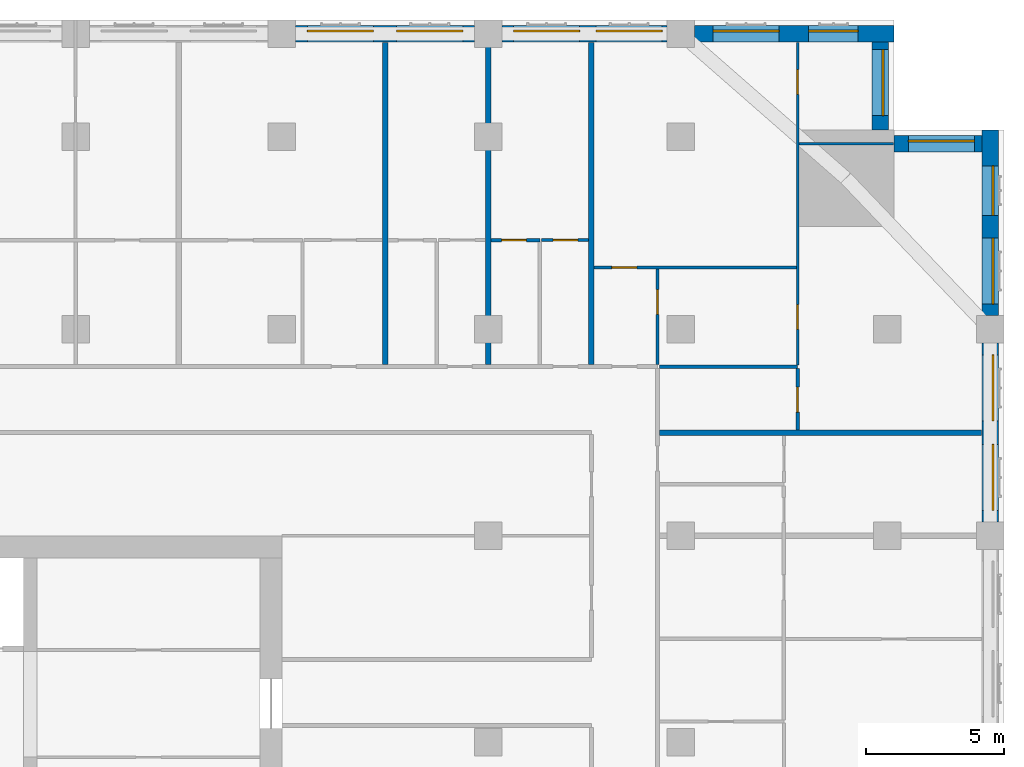
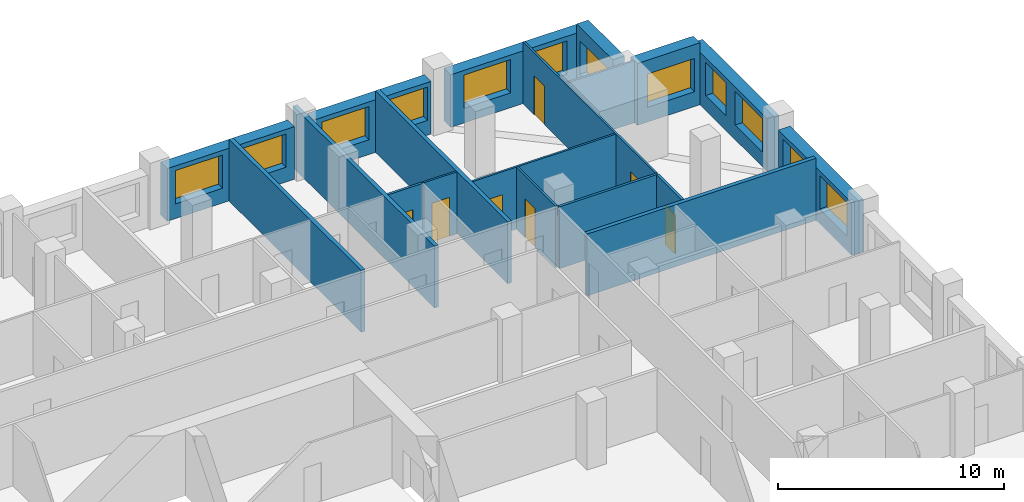
# One storey, part 11 of 14: 19 walls, 12 windows, 7 doors, 19 openings.
"""IFC4 building model written with IfcOpenShell, lengths in metres."""

from ifc_helpers import new_model, si_unit, direction, frame, frame_2d, origin, place, context, subcontext, project, spatial, rectangle, extrude, material, layer, layer_set, type_object, element, fill, save


model = new_model("IFC4")

# Units and contexts
model_context = context("Model", 3, precision=1e-05, world=origin(), true_north=direction((0.0, 1.0)))
body_context = subcontext(model_context, "Body", "Model", "MODEL_VIEW")
ifc_project = project(units=[si_unit("LENGTHUNIT", "METRE"), si_unit("AREAUNIT", "SQUARE_METRE"), si_unit("VOLUMEUNIT", "CUBIC_METRE"), si_unit("PLANEANGLEUNIT", "RADIAN"), si_unit("MASSUNIT", "GRAM", prefix="KILO")], contexts=[model_context])

# Site, building, storey
site_placement = place(None, origin())
site = spatial("IfcSite", under=ifc_project, at=site_placement, CompositionType="ELEMENT")
building_placement = place(site_placement, origin())
building = spatial("IfcBuilding", under=site, at=building_placement, Name="Tamorin Gate", CompositionType="ELEMENT")
storey_placement = place(building_placement, frame((0.0, 0.0, 151.800048828125)))
storey = spatial("IfcBuildingStorey", under=building, at=storey_placement, Name="L37", CompositionType="ELEMENT", Elevation=151.800048828125)

# Wall, openings, windows
ifc_material_1 = material(Name="Precast concrete C40/50", Category="concrete")
ifc_layer_1 = layer(ifc_material_1, 0.60009765625)
ifc_layer_set_1 = layer_set([ifc_layer_1], Name="Precast concrete C40/50")
wall_type_1 = type_object("IfcWallType", Name="Board-marked concrete facade panel 600", PredefinedType="SOLIDWALL", material=ifc_layer_set_1)
wall_1_placement = place(storey_placement, frame((85.75, 83.0, 0.0), z_axis=(0.0, 0.0, 1.0), x_axis=(0.0, 1.0, 0.0)))
wall_1 = element("IfcWall", 1, at=wall_1_placement, inside=storey, type_object=wall_type_1, Name="Facade panel", PredefinedType="SOLIDWALL", context=body_context, shape_type="SweptSolid", body=[
    extrude(rectangle(XDim=6.5, YDim=0.60009765625, at=frame_2d((3.25, 0.0))), origin(), (0.0, 0.0, 1.0), 2.849853515625),
])
opening_1_placement = place(wall_1_placement, frame((0.425048828125, 0.0, 0.800048828125)))
opening_1 = element("IfcOpeningElement", 2, at=opening_1_placement, cuts=wall_1, Name="Opening WN1", PredefinedType="OPENING", context=body_context, shape_type="SweptSolid", body=[
    extrude(rectangle(XDim=2.39990234375, YDim=1.800048828125, at=frame_2d((1.199951171875, 0.89990234375))), frame((0.0, 0.31005859375, 0.0), z_axis=(0.0, -1.0, 0.0), x_axis=(1.0, 0.0, 0.0)), (0.0, 0.0, 1.0), 0.6201171875),
])
opening_2_placement = place(wall_1_placement, frame((3.675048828125, 0.0, 0.800048828125)))
opening_2 = element("IfcOpeningElement", 3, at=opening_2_placement, cuts=wall_1, Name="Opening WN1", PredefinedType="OPENING", context=body_context, shape_type="SweptSolid", body=[
    extrude(rectangle(XDim=2.39990234375, YDim=1.800048828125, at=frame_2d((1.199951171875, 0.89990234375))), frame((0.0, 0.31005859375, 0.0), z_axis=(0.0, -1.0, 0.0), x_axis=(1.0, 0.0, 0.0)), (0.0, 0.0, 1.0), 0.6201171875),
])
ifc_material_2 = material(Name="Clear glass in aluminium frame", Category="aluminium")
window_type_1 = type_object("IfcWindowType", Name="Deep-set window 2400x1800", PartitioningType="SINGLE_PANEL", PredefinedType="WINDOW", material=ifc_material_2)
window_1_placement = place(opening_1_placement, origin())
window_1 = element("IfcWindow", 4, at=window_1_placement, inside=storey, type_object=window_type_1, Name="Deep-set window", OverallHeight=1.800048828125, OverallWidth=2.39990234375, PartitioningType="SINGLE_PANEL", PredefinedType="WINDOW", context=body_context, shape_type="SweptSolid", body=[
    extrude(rectangle(XDim=2.39990234375, YDim=1.800048828125, at=frame_2d((1.199951171875, 0.89990234375))), frame((0.0, -0.070068359375, 0.0), z_axis=(0.0, -1.0, 0.0), x_axis=(1.0, 0.0, 0.0)), (0.0, 0.0, 1.0), 0.06005859375),
])
fill(opening_1, window_1)
window_2_placement = place(opening_2_placement, origin())
window_2 = element("IfcWindow", 5, at=window_2_placement, inside=storey, type_object=window_type_1, Name="Deep-set window", OverallHeight=1.800048828125, OverallWidth=2.39990234375, PartitioningType="SINGLE_PANEL", PredefinedType="WINDOW", context=body_context, shape_type="SweptSolid", body=[
    extrude(rectangle(XDim=2.39990234375, YDim=1.800048828125, at=frame_2d((1.199951171875, 0.89990234375))), frame((0.0, -0.070068359375, 0.0), z_axis=(0.0, -1.0, 0.0), x_axis=(1.0, 0.0, 0.0)), (0.0, 0.0, 1.0), 0.06005859375),
])
fill(opening_2, window_2)

wall_2_placement = place(storey_placement, frame((85.75, 90.5, 0.0), z_axis=(0.0, 0.0, 1.0), x_axis=(0.0, 1.0, 0.0)))
wall_2 = element("IfcWall", 6, at=wall_2_placement, inside=storey, type_object=wall_type_1, Name="Facade panel", PredefinedType="SOLIDWALL", context=body_context, shape_type="SweptSolid", body=[
    extrude(rectangle(XDim=6.75, YDim=0.60009765625, at=frame_2d((3.375, 0.0))), origin(), (0.0, 0.0, 1.0), 2.849853515625),
])
opening_3_placement = place(wall_2_placement, frame((0.425048828125, 0.0, 0.800048828125)))
opening_3 = element("IfcOpeningElement", 7, at=opening_3_placement, cuts=wall_2, Name="Opening WN1", PredefinedType="OPENING", context=body_context, shape_type="SweptSolid", body=[
    extrude(rectangle(XDim=2.39990234375, YDim=1.800048828125, at=frame_2d((1.199951171875, 0.89990234375))), frame((0.0, 0.31005859375, 0.0), z_axis=(0.0, -1.0, 0.0), x_axis=(1.0, 0.0, 0.0)), (0.0, 0.0, 1.0), 0.6201171875),
])
opening_4_placement = place(wall_2_placement, frame((3.64990234375, 0.0, 0.800048828125)))
opening_4 = element("IfcOpeningElement", 8, at=opening_4_placement, cuts=wall_2, Name="Opening WN2", PredefinedType="OPENING", context=body_context, shape_type="SweptSolid", body=[
    extrude(rectangle(XDim=1.800048828125, YDim=1.800048828125, at=frame_2d((0.89990234375, 0.89990234375))), frame((0.0, 0.31005859375, 0.0), z_axis=(0.0, -1.0, 0.0), x_axis=(1.0, 0.0, 0.0)), (0.0, 0.0, 1.0), 0.6201171875),
])
window_type_2 = type_object("IfcWindowType", Name="Deep-set window 1800x1800", PartitioningType="SINGLE_PANEL", PredefinedType="WINDOW", material=ifc_material_2)
window_3_placement = place(opening_4_placement, origin())
window_3 = element("IfcWindow", 9, at=window_3_placement, inside=storey, type_object=window_type_2, Name="Deep-set window", OverallHeight=1.800048828125, OverallWidth=1.800048828125, PartitioningType="SINGLE_PANEL", PredefinedType="WINDOW", context=body_context, shape_type="SweptSolid", body=[
    extrude(rectangle(XDim=1.800048828125, YDim=1.800048828125, at=frame_2d((0.89990234375, 0.89990234375))), frame((0.0, -0.070068359375, 0.0), z_axis=(0.0, -1.0, 0.0), x_axis=(1.0, 0.0, 0.0)), (0.0, 0.0, 1.0), 0.06005859375),
])
fill(opening_4, window_3)
window_4_placement = place(opening_3_placement, origin())
window_4 = element("IfcWindow", 10, at=window_4_placement, inside=storey, type_object=window_type_1, Name="Deep-set window", OverallHeight=1.800048828125, OverallWidth=2.39990234375, PartitioningType="SINGLE_PANEL", PredefinedType="WINDOW", context=body_context, shape_type="SweptSolid", body=[
    extrude(rectangle(XDim=2.39990234375, YDim=1.800048828125, at=frame_2d((1.199951171875, 0.89990234375))), frame((0.0, -0.070068359375, 0.0), z_axis=(0.0, -1.0, 0.0), x_axis=(1.0, 0.0, 0.0)), (0.0, 0.0, 1.0), 0.06005859375),
])
fill(opening_3, window_4)

# Wall, opening, window
wall_3_placement = place(storey_placement, frame((85.449951171875, 96.75, 0.0), z_axis=(0.0, 0.0, 1.0), x_axis=(-1.0, 0.0, 0.0)))
wall_3 = element("IfcWall", 11, at=wall_3_placement, inside=storey, type_object=wall_type_1, Name="Facade panel", PredefinedType="SOLIDWALL", context=body_context, shape_type="SweptSolid", body=[
    extrude(rectangle(XDim=3.199951171875, YDim=0.60009765625, at=frame_2d((1.60009765625, 0.0))), origin(), (0.0, 0.0, 1.0), 3.349853515625),
])
opening_5_placement = place(wall_3_placement, frame((0.27490234375, 0.0, 0.800048828125)))
opening_5 = element("IfcOpeningElement", 12, at=opening_5_placement, cuts=wall_3, Name="Opening WN1", PredefinedType="OPENING", context=body_context, shape_type="SweptSolid", body=[
    extrude(rectangle(XDim=2.39990234375, YDim=1.800048828125, at=frame_2d((1.199951171875, 0.89990234375))), frame((0.0, 0.31005859375, 0.0), z_axis=(0.0, -1.0, 0.0), x_axis=(1.0, 0.0, 0.0)), (0.0, 0.0, 1.0), 0.6201171875),
])
window_5_placement = place(opening_5_placement, origin())
window_5 = element("IfcWindow", 13, at=window_5_placement, inside=storey, type_object=window_type_1, Name="Deep-set window", OverallHeight=1.800048828125, OverallWidth=2.39990234375, PartitioningType="SINGLE_PANEL", PredefinedType="WINDOW", context=body_context, shape_type="SweptSolid", body=[
    extrude(rectangle(XDim=2.39990234375, YDim=1.800048828125, at=frame_2d((1.199951171875, 0.89990234375))), frame((0.0, -0.070068359375, 0.0), z_axis=(0.0, -1.0, 0.0), x_axis=(1.0, 0.0, 0.0)), (0.0, 0.0, 1.0), 0.06005859375),
])
fill(opening_5, window_5)

wall_4_placement = place(storey_placement, frame((81.75, 97.25, 0.0), z_axis=(0.0, 0.0, 1.0), x_axis=(0.0, 1.0, 0.0)))
wall_4 = element("IfcWall", 14, at=wall_4_placement, inside=storey, type_object=wall_type_1, Name="Facade panel", PredefinedType="SOLIDWALL", context=body_context, shape_type="SweptSolid", body=[
    extrude(rectangle(XDim=3.199951171875, YDim=0.60009765625, at=frame_2d((1.60009765625, 0.0))), origin(), (0.0, 0.0, 1.0), 3.349853515625),
])
opening_6_placement = place(wall_4_placement, frame((0.52490234375, 0.0, 0.800048828125)))
opening_6 = element("IfcOpeningElement", 15, at=opening_6_placement, cuts=wall_4, Name="Opening WN1", PredefinedType="OPENING", context=body_context, shape_type="SweptSolid", body=[
    extrude(rectangle(XDim=2.39990234375, YDim=1.800048828125, at=frame_2d((1.199951171875, 0.89990234375))), frame((0.0, 0.31005859375, 0.0), z_axis=(0.0, -1.0, 0.0), x_axis=(1.0, 0.0, 0.0)), (0.0, 0.0, 1.0), 0.6201171875),
])
window_6_placement = place(opening_6_placement, origin())
window_6 = element("IfcWindow", 16, at=window_6_placement, inside=storey, type_object=window_type_1, Name="Deep-set window", OverallHeight=1.800048828125, OverallWidth=2.39990234375, PartitioningType="SINGLE_PANEL", PredefinedType="WINDOW", context=body_context, shape_type="SweptSolid", body=[
    extrude(rectangle(XDim=2.39990234375, YDim=1.800048828125, at=frame_2d((1.199951171875, 0.89990234375))), frame((0.0, -0.070068359375, 0.0), z_axis=(0.0, -1.0, 0.0), x_axis=(1.0, 0.0, 0.0)), (0.0, 0.0, 1.0), 0.06005859375),
])
fill(opening_6, window_6)

# Wall, openings, windows
wall_5_placement = place(storey_placement, frame((82.25, 100.75, 0.0), z_axis=(0.0, 0.0, 1.0), x_axis=(-1.0, 0.0, 0.0)))
wall_5 = element("IfcWall", 17, at=wall_5_placement, inside=storey, type_object=wall_type_1, Name="Facade panel", PredefinedType="SOLIDWALL", context=body_context, shape_type="SweptSolid", body=[
    extrude(rectangle(XDim=7.25, YDim=0.60009765625, at=frame_2d((3.625, 0.0))), origin(), (0.0, 0.0, 1.0), 2.849853515625),
])
opening_7_placement = place(wall_5_placement, frame((4.175048828125, 0.0, 0.800048828125)))
opening_7 = element("IfcOpeningElement", 18, at=opening_7_placement, cuts=wall_5, Name="Opening WN1", PredefinedType="OPENING", context=body_context, shape_type="SweptSolid", body=[
    extrude(rectangle(XDim=2.39990234375, YDim=1.800048828125, at=frame_2d((1.199951171875, 0.89990234375))), frame((0.0, 0.31005859375, 0.0), z_axis=(0.0, -1.0, 0.0), x_axis=(1.0, 0.0, 0.0)), (0.0, 0.0, 1.0), 0.6201171875),
])
opening_8_placement = place(wall_5_placement, frame((1.300048828125, 0.0, 0.800048828125)))
opening_8 = element("IfcOpeningElement", 19, at=opening_8_placement, cuts=wall_5, Name="Opening WN2", PredefinedType="OPENING", context=body_context, shape_type="SweptSolid", body=[
    extrude(rectangle(XDim=1.800048828125, YDim=1.800048828125, at=frame_2d((0.89990234375, 0.89990234375))), frame((0.0, 0.31005859375, 0.0), z_axis=(0.0, -1.0, 0.0), x_axis=(1.0, 0.0, 0.0)), (0.0, 0.0, 1.0), 0.6201171875),
])
window_7_placement = place(opening_8_placement, origin())
window_7 = element("IfcWindow", 20, at=window_7_placement, inside=storey, type_object=window_type_2, Name="Deep-set window", OverallHeight=1.800048828125, OverallWidth=1.800048828125, PartitioningType="SINGLE_PANEL", PredefinedType="WINDOW", context=body_context, shape_type="SweptSolid", body=[
    extrude(rectangle(XDim=1.800048828125, YDim=1.800048828125, at=frame_2d((0.89990234375, 0.89990234375))), frame((0.0, -0.070068359375, 0.0), z_axis=(0.0, -1.0, 0.0), x_axis=(1.0, 0.0, 0.0)), (0.0, 0.0, 1.0), 0.06005859375),
])
fill(opening_8, window_7)
window_8_placement = place(opening_7_placement, origin())
window_8 = element("IfcWindow", 21, at=window_8_placement, inside=storey, type_object=window_type_1, Name="Deep-set window", OverallHeight=1.800048828125, OverallWidth=2.39990234375, PartitioningType="SINGLE_PANEL", PredefinedType="WINDOW", context=body_context, shape_type="SweptSolid", body=[
    extrude(rectangle(XDim=2.39990234375, YDim=1.800048828125, at=frame_2d((1.199951171875, 0.89990234375))), frame((0.0, -0.070068359375, 0.0), z_axis=(0.0, -1.0, 0.0), x_axis=(1.0, 0.0, 0.0)), (0.0, 0.0, 1.0), 0.06005859375),
])
fill(opening_7, window_8)

wall_6_placement = place(storey_placement, frame((74.0, 100.75, 0.0), z_axis=(0.0, 0.0, 1.0), x_axis=(-1.0, 0.0, 0.0)))
wall_6 = element("IfcWall", 22, at=wall_6_placement, inside=storey, type_object=wall_type_1, Name="Facade panel", PredefinedType="SOLIDWALL", context=body_context, shape_type="SweptSolid", body=[
    extrude(rectangle(XDim=6.0, YDim=0.60009765625, at=frame_2d((3.0, 0.0))), origin(), (0.0, 0.0, 1.0), 2.849853515625),
])
opening_9_placement = place(wall_6_placement, frame((3.175048828125, 0.0, 0.800048828125)))
opening_9 = element("IfcOpeningElement", 23, at=opening_9_placement, cuts=wall_6, Name="Opening WN1", PredefinedType="OPENING", context=body_context, shape_type="SweptSolid", body=[
    extrude(rectangle(XDim=2.39990234375, YDim=1.800048828125, at=frame_2d((1.199951171875, 0.89990234375))), frame((0.0, 0.31005859375, 0.0), z_axis=(0.0, -1.0, 0.0), x_axis=(1.0, 0.0, 0.0)), (0.0, 0.0, 1.0), 0.6201171875),
])
opening_10_placement = place(wall_6_placement, frame((0.175048828125, 0.0, 0.800048828125)))
opening_10 = element("IfcOpeningElement", 24, at=opening_10_placement, cuts=wall_6, Name="Opening WN1", PredefinedType="OPENING", context=body_context, shape_type="SweptSolid", body=[
    extrude(rectangle(XDim=2.39990234375, YDim=1.800048828125, at=frame_2d((1.199951171875, 0.89990234375))), frame((0.0, 0.31005859375, 0.0), z_axis=(0.0, -1.0, 0.0), x_axis=(1.0, 0.0, 0.0)), (0.0, 0.0, 1.0), 0.6201171875),
])
window_9_placement = place(opening_9_placement, origin())
window_9 = element("IfcWindow", 25, at=window_9_placement, inside=storey, type_object=window_type_1, Name="Deep-set window", OverallHeight=1.800048828125, OverallWidth=2.39990234375, PartitioningType="SINGLE_PANEL", PredefinedType="WINDOW", context=body_context, shape_type="SweptSolid", body=[
    extrude(rectangle(XDim=2.39990234375, YDim=1.800048828125, at=frame_2d((1.199951171875, 0.89990234375))), frame((0.0, -0.070068359375, 0.0), z_axis=(0.0, -1.0, 0.0), x_axis=(1.0, 0.0, 0.0)), (0.0, 0.0, 1.0), 0.06005859375),
])
fill(opening_9, window_9)
window_10_placement = place(opening_10_placement, origin())
window_10 = element("IfcWindow", 26, at=window_10_placement, inside=storey, type_object=window_type_1, Name="Deep-set window", OverallHeight=1.800048828125, OverallWidth=2.39990234375, PartitioningType="SINGLE_PANEL", PredefinedType="WINDOW", context=body_context, shape_type="SweptSolid", body=[
    extrude(rectangle(XDim=2.39990234375, YDim=1.800048828125, at=frame_2d((1.199951171875, 0.89990234375))), frame((0.0, -0.070068359375, 0.0), z_axis=(0.0, -1.0, 0.0), x_axis=(1.0, 0.0, 0.0)), (0.0, 0.0, 1.0), 0.06005859375),
])
fill(opening_10, window_10)

wall_7_placement = place(storey_placement, frame((67.0, 100.75, 0.0), z_axis=(0.0, 0.0, 1.0), x_axis=(-1.0, 0.0, 0.0)))
wall_7 = element("IfcWall", 27, at=wall_7_placement, inside=storey, type_object=wall_type_1, Name="Facade panel", PredefinedType="SOLIDWALL", context=body_context, shape_type="SweptSolid", body=[
    extrude(rectangle(XDim=6.5, YDim=0.60009765625, at=frame_2d((3.25, 0.0))), origin(), (0.0, 0.0, 1.0), 2.849853515625),
])
opening_11_placement = place(wall_7_placement, frame((3.675048828125, 0.0, 0.800048828125)))
opening_11 = element("IfcOpeningElement", 28, at=opening_11_placement, cuts=wall_7, Name="Opening WN1", PredefinedType="OPENING", context=body_context, shape_type="SweptSolid", body=[
    extrude(rectangle(XDim=2.39990234375, YDim=1.800048828125, at=frame_2d((1.199951171875, 0.89990234375))), frame((0.0, 0.31005859375, 0.0), z_axis=(0.0, -1.0, 0.0), x_axis=(1.0, 0.0, 0.0)), (0.0, 0.0, 1.0), 0.6201171875),
])
opening_12_placement = place(wall_7_placement, frame((0.425048828125, 0.0, 0.800048828125)))
opening_12 = element("IfcOpeningElement", 29, at=opening_12_placement, cuts=wall_7, Name="Opening WN1", PredefinedType="OPENING", context=body_context, shape_type="SweptSolid", body=[
    extrude(rectangle(XDim=2.39990234375, YDim=1.800048828125, at=frame_2d((1.199951171875, 0.89990234375))), frame((0.0, 0.31005859375, 0.0), z_axis=(0.0, -1.0, 0.0), x_axis=(1.0, 0.0, 0.0)), (0.0, 0.0, 1.0), 0.6201171875),
])
window_11_placement = place(opening_11_placement, origin())
window_11 = element("IfcWindow", 30, at=window_11_placement, inside=storey, type_object=window_type_1, Name="Deep-set window", OverallHeight=1.800048828125, OverallWidth=2.39990234375, PartitioningType="SINGLE_PANEL", PredefinedType="WINDOW", context=body_context, shape_type="SweptSolid", body=[
    extrude(rectangle(XDim=2.39990234375, YDim=1.800048828125, at=frame_2d((1.199951171875, 0.89990234375))), frame((0.0, -0.070068359375, 0.0), z_axis=(0.0, -1.0, 0.0), x_axis=(1.0, 0.0, 0.0)), (0.0, 0.0, 1.0), 0.06005859375),
])
fill(opening_11, window_11)
window_12_placement = place(opening_12_placement, origin())
window_12 = element("IfcWindow", 31, at=window_12_placement, inside=storey, type_object=window_type_1, Name="Deep-set window", OverallHeight=1.800048828125, OverallWidth=2.39990234375, PartitioningType="SINGLE_PANEL", PredefinedType="WINDOW", context=body_context, shape_type="SweptSolid", body=[
    extrude(rectangle(XDim=2.39990234375, YDim=1.800048828125, at=frame_2d((1.199951171875, 0.89990234375))), frame((0.0, -0.070068359375, 0.0), z_axis=(0.0, -1.0, 0.0), x_axis=(1.0, 0.0, 0.0)), (0.0, 0.0, 1.0), 0.06005859375),
])
fill(opening_12, window_12)

# Walls
ifc_material_3 = material(Name="Gypsum board partition")
ifc_layer_2 = layer(ifc_material_3, 0.199951171875)
ifc_layer_set_2 = layer_set([ifc_layer_2], Name="Demising wall 200")
wall_type_2 = type_object("IfcWallType", Name="Demising wall 200", PredefinedType="PARTITIONING", material=ifc_layer_set_2)
for number, where, z_axis, x_axis, name in (
    (32, (73.72509765625, 86.25, 0.0), (0.0, 0.0, 1.0), (1.0, 0.0, 0.0), "Demising wall 200"),
    (33, (63.75, 88.72509765625, 0.0), (0.0, 0.0, 1.0), (0.0, 1.0, 0.0), "Demising wall 200"),
):
    element("IfcWall", number, at=place(storey_placement, frame(where, z_axis=z_axis, x_axis=x_axis)), inside=storey, type_object=wall_type_2, Name=name, PredefinedType="PARTITIONING", context=body_context, shape_type="SweptSolid", body=[
        extrude(rectangle(XDim=11.71484375, YDim=0.199951171875, at=frame_2d((5.857421875, 0.0))), origin(), (0.0, 0.0, 1.0), 3.349853515625),
    ])
wall_8_placement = place(storey_placement, frame((67.5, 88.72509765625, 0.0), z_axis=(0.0, 0.0, 1.0), x_axis=(0.0, 1.0, 0.0)))
element("IfcWall", 34, at=wall_8_placement, inside=storey, type_object=wall_type_2, Name="Demising wall 200", PredefinedType="PARTITIONING", context=body_context, shape_type="SweptSolid", body=[
    extrude(rectangle(XDim=12.52490234375, YDim=0.199951171875, at=frame_2d((6.262451171875, 0.0))), origin(), (0.0, 0.0, 1.0), 3.349853515625),
])
wall_9_placement = place(storey_placement, frame((71.25, 88.72509765625, 0.0), z_axis=(0.0, 0.0, 1.0), x_axis=(0.0, 1.0, 0.0)))
element("IfcWall", 35, at=wall_9_placement, inside=storey, type_object=wall_type_2, Name="Demising wall 200", PredefinedType="PARTITIONING", context=body_context, shape_type="SweptSolid", body=[
    extrude(rectangle(XDim=11.71484375, YDim=0.199951171875, at=frame_2d((5.857421875, 0.0))), origin(), (0.0, 0.0, 1.0), 3.349853515625),
])

# Wall, opening, door
ifc_layer_3 = layer(ifc_material_3, 0.10009765625)
ifc_layer_set_3 = layer_set([ifc_layer_3], Name="Room partition 100")
wall_type_3 = type_object("IfcWallType", Name="Room partition 100", PredefinedType="PARTITIONING", material=ifc_layer_set_3)
wall_10_placement = place(storey_placement, frame((71.35009765625, 92.25, 0.0), z_axis=(0.0, 0.0, 1.0), x_axis=(1.0, 0.0, 0.0)))
wall_10 = element("IfcWall", 36, at=wall_10_placement, inside=storey, type_object=wall_type_3, Name="Room partition 100", PredefinedType="PARTITIONING", context=body_context, shape_type="SweptSolid", body=[
    extrude(rectangle(XDim=7.349853515625, YDim=0.10009765625, at=frame_2d((3.6748046875, 0.0))), origin(), (0.0, 0.0, 1.0), 3.349853515625),
])
opening_13_placement = place(wall_10_placement, frame((0.64990234375, 0.0, 0.0)))
opening_13 = element("IfcOpeningElement", 37, at=opening_13_placement, cuts=wall_10, Name="Opening DS3063", PredefinedType="OPENING", context=body_context, shape_type="SweptSolid", body=[
    extrude(rectangle(XDim=0.89990234375, YDim=2.10009765625, at=frame_2d((0.449951171875, 1.050048828125))), frame((0.0, 0.06005859375, 0.0), z_axis=(0.0, -1.0, 0.0), x_axis=(1.0, 0.0, 0.0)), (0.0, 0.0, 1.0), 0.1201171875),
])
ifc_material_4 = material(Name="Timber door leaf", Category="wood")
door_type = type_object("IfcDoorType", Name="Door 900 x 2100", OperationType="NOTDEFINED", PredefinedType="DOOR", material=ifc_material_4)
door_1_placement = place(opening_13_placement, origin())
door_1 = element("IfcDoor", 38, at=door_1_placement, inside=storey, type_object=door_type, Name="Door DS3063", OperationType="SINGLE_SWING_LEFT", OverallHeight=2.10009765625, OverallWidth=0.89990234375, PredefinedType="DOOR", context=body_context, shape_type="SweptSolid", body=[
    extrude(rectangle(XDim=0.89990234375, YDim=2.10009765625, at=frame_2d((0.449951171875, 1.050048828125))), frame((0.0, 0.02490234375, 0.0), z_axis=(0.0, -1.0, 0.0), x_axis=(1.0, 0.0, 0.0)), (0.0, 0.0, 1.0), 0.050048828125),
])
fill(opening_13, door_1)

wall_11_placement = place(storey_placement, frame((69.4375, 93.25, 0.0), z_axis=(0.0, 0.0, 1.0), x_axis=(1.0, 0.0, 0.0)))
wall_11 = element("IfcWall", 39, at=wall_11_placement, inside=storey, type_object=wall_type_3, Name="Room partition 100", PredefinedType="PARTITIONING", context=body_context, shape_type="SweptSolid", body=[
    extrude(rectangle(XDim=1.71240234375, YDim=0.10009765625, at=frame_2d((0.856201171875, 0.0))), origin(), (0.0, 0.0, 1.0), 3.349853515625),
])
opening_14_placement = place(wall_11_placement, frame((0.425048828125, 0.0, 0.0)))
opening_14 = element("IfcOpeningElement", 40, at=opening_14_placement, cuts=wall_11, Name="Opening DS3037", PredefinedType="OPENING", context=body_context, shape_type="SweptSolid", body=[
    extrude(rectangle(XDim=0.89990234375, YDim=2.10009765625, at=frame_2d((0.449951171875, 1.050048828125))), frame((0.0, 0.06005859375, 0.0), z_axis=(0.0, -1.0, 0.0), x_axis=(1.0, 0.0, 0.0)), (0.0, 0.0, 1.0), 0.1201171875),
])
door_2_placement = place(opening_14_placement, origin())
door_2 = element("IfcDoor", 41, at=door_2_placement, inside=storey, type_object=door_type, Name="Door DS3037", OperationType="SINGLE_SWING_RIGHT", OverallHeight=2.10009765625, OverallWidth=0.89990234375, PredefinedType="DOOR", context=body_context, shape_type="SweptSolid", body=[
    extrude(rectangle(XDim=0.89990234375, YDim=2.10009765625, at=frame_2d((0.449951171875, 1.050048828125))), frame((0.0, 0.02490234375, 0.0), z_axis=(0.0, -1.0, 0.0), x_axis=(1.0, 0.0, 0.0)), (0.0, 0.0, 1.0), 0.050048828125),
])
fill(opening_14, door_2)

# Wall
wall_12_placement = place(storey_placement, frame((78.800048828125, 96.75, 0.0), z_axis=(0.0, 0.0, 1.0), x_axis=(1.0, 0.0, 0.0)))
element("IfcWall", 42, at=wall_12_placement, inside=storey, type_object=wall_type_3, Name="Room partition 100", PredefinedType="PARTITIONING", context=body_context, shape_type="SweptSolid", body=[
    extrude(rectangle(XDim=3.43994140625, YDim=0.10009765625, at=frame_2d((1.719970703125, 0.0))), origin(), (0.0, 0.0, 1.0), 3.349853515625),
])

# Wall, opening, door
wall_13_placement = place(storey_placement, frame((73.64990234375, 88.72509765625, 0.0), z_axis=(0.0, 0.0, 1.0), x_axis=(0.0, 1.0, 0.0)))
wall_13 = element("IfcWall", 43, at=wall_13_placement, inside=storey, type_object=wall_type_3, Name="Room partition 100", PredefinedType="PARTITIONING", context=body_context, shape_type="SweptSolid", body=[
    extrude(rectangle(XDim=3.474853515625, YDim=0.10009765625, at=frame_2d((1.7373046875, 0.0))), origin(), (0.0, 0.0, 1.0), 3.349853515625),
])
opening_15_placement = place(wall_13_placement, frame((1.824951171875, 0.0, 0.0)))
opening_15 = element("IfcOpeningElement", 44, at=opening_15_placement, cuts=wall_13, Name="Opening DS3064", PredefinedType="OPENING", context=body_context, shape_type="SweptSolid", body=[
    extrude(rectangle(XDim=0.89990234375, YDim=2.10009765625, at=frame_2d((0.449951171875, 1.050048828125))), frame((0.0, 0.06005859375, 0.0), z_axis=(0.0, -1.0, 0.0), x_axis=(1.0, 0.0, 0.0)), (0.0, 0.0, 1.0), 0.1201171875),
])
door_3_placement = place(opening_15_placement, origin())
door_3 = element("IfcDoor", 45, at=door_3_placement, inside=storey, type_object=door_type, Name="Door DS3064", OperationType="SINGLE_SWING_RIGHT", OverallHeight=2.10009765625, OverallWidth=0.89990234375, PredefinedType="DOOR", context=body_context, shape_type="SweptSolid", body=[
    extrude(rectangle(XDim=0.89990234375, YDim=2.10009765625, at=frame_2d((0.449951171875, 1.050048828125))), frame((0.0, 0.02490234375, 0.0), z_axis=(0.0, -1.0, 0.0), x_axis=(1.0, 0.0, 0.0)), (0.0, 0.0, 1.0), 0.050048828125),
])
fill(opening_15, door_3)

# Wall, openings, doors
wall_14_placement = place(storey_placement, frame((78.75, 88.71240234375, 0.0), z_axis=(0.0, 0.0, 1.0), x_axis=(0.0, 1.0, 0.0)))
wall_14 = element("IfcWall", 46, at=wall_14_placement, inside=storey, type_object=wall_type_3, Name="Room partition 100", PredefinedType="PARTITIONING", context=body_context, shape_type="SweptSolid", body=[
    extrude(rectangle(XDim=11.7275390625, YDim=0.10009765625, at=frame_2d((5.86376953125, 0.0))), origin(), (0.0, 0.0, 1.0), 3.349853515625),
])
opening_16_placement = place(wall_14_placement, frame((9.83740234375, 0.0, 0.0)))
opening_16 = element("IfcOpeningElement", 47, at=opening_16_placement, cuts=wall_14, Name="Opening DS3065", PredefinedType="OPENING", context=body_context, shape_type="SweptSolid", body=[
    extrude(rectangle(XDim=0.89990234375, YDim=2.10009765625, at=frame_2d((0.449951171875, 1.050048828125))), frame((0.0, 0.06005859375, 0.0), z_axis=(0.0, -1.0, 0.0), x_axis=(1.0, 0.0, 0.0)), (0.0, 0.0, 1.0), 0.1201171875),
])
opening_17_placement = place(wall_14_placement, frame((1.28759765625, 0.0, 0.0)))
opening_17 = element("IfcOpeningElement", 48, at=opening_17_placement, cuts=wall_14, Name="Opening DS3066", PredefinedType="OPENING", context=body_context, shape_type="SweptSolid", body=[
    extrude(rectangle(XDim=0.89990234375, YDim=2.10009765625, at=frame_2d((0.449951171875, 1.050048828125))), frame((0.0, 0.06005859375, 0.0), z_axis=(0.0, -1.0, 0.0), x_axis=(1.0, 0.0, 0.0)), (0.0, 0.0, 1.0), 0.1201171875),
])
door_4_placement = place(opening_16_placement, origin())
door_4 = element("IfcDoor", 49, at=door_4_placement, inside=storey, type_object=door_type, Name="Door DS3065", OperationType="SINGLE_SWING_LEFT", OverallHeight=2.10009765625, OverallWidth=0.89990234375, PredefinedType="DOOR", context=body_context, shape_type="SweptSolid", body=[
    extrude(rectangle(XDim=0.89990234375, YDim=2.10009765625, at=frame_2d((0.449951171875, 1.050048828125))), frame((0.0, 0.02490234375, 0.0), z_axis=(0.0, -1.0, 0.0), x_axis=(1.0, 0.0, 0.0)), (0.0, 0.0, 1.0), 0.050048828125),
])
fill(opening_16, door_4)
door_5_placement = place(opening_17_placement, origin())
door_5 = element("IfcDoor", 50, at=door_5_placement, inside=storey, type_object=door_type, Name="Door DS3066", OperationType="SINGLE_SWING_RIGHT", OverallHeight=2.10009765625, OverallWidth=0.89990234375, PredefinedType="DOOR", context=body_context, shape_type="SweptSolid", body=[
    extrude(rectangle(XDim=0.89990234375, YDim=2.10009765625, at=frame_2d((0.449951171875, 1.050048828125))), frame((0.0, 0.02490234375, 0.0), z_axis=(0.0, -1.0, 0.0), x_axis=(1.0, 0.0, 0.0)), (0.0, 0.0, 1.0), 0.050048828125),
])
fill(opening_17, door_5)

# Wall
ifc_layer_4 = layer(ifc_material_3, 0.125)
ifc_layer_set_4 = layer_set([ifc_layer_4], Name="Wet wall 125")
wall_type_4 = type_object("IfcWallType", Name="Wet wall 125", PredefinedType="PARTITIONING", material=ifc_layer_set_4)
wall_15_placement = place(storey_placement, frame((73.72509765625, 88.64990234375, 0.0), z_axis=(0.0, 0.0, 1.0), x_axis=(1.0, 0.0, 0.0)))
element("IfcWall", 51, at=wall_15_placement, inside=storey, type_object=wall_type_4, Name="Wet wall 125", PredefinedType="PARTITIONING", context=body_context, shape_type="SweptSolid", body=[
    extrude(rectangle(XDim=5.02490234375, YDim=0.125, at=frame_2d((2.512451171875, 0.0))), origin(), (0.0, 0.0, 1.0), 3.349853515625),
])

# Wall, opening, door
wall_16_placement = place(storey_placement, frame((67.60009765625, 93.25, 0.0), z_axis=(0.0, 0.0, 1.0), x_axis=(1.0, 0.0, 0.0)))
wall_16 = element("IfcWall", 52, at=wall_16_placement, inside=storey, type_object=wall_type_4, Name="Wet wall 125", PredefinedType="PARTITIONING", context=body_context, shape_type="SweptSolid", body=[
    extrude(rectangle(XDim=1.77490234375, YDim=0.125, at=frame_2d((0.887451171875, 0.0))), origin(), (0.0, 0.0, 1.0), 3.349853515625),
])
opening_18_placement = place(wall_16_placement, frame((0.387451171875, 0.0, 0.0)))
opening_18 = element("IfcOpeningElement", 53, at=opening_18_placement, cuts=wall_16, Name="Opening DS3035", PredefinedType="OPENING", context=body_context, shape_type="SweptSolid", body=[
    extrude(rectangle(XDim=0.89990234375, YDim=2.10009765625, at=frame_2d((0.449951171875, 1.050048828125))), frame((0.0, 0.072509765625, 0.0), z_axis=(0.0, -1.0, 0.0), x_axis=(1.0, 0.0, 0.0)), (0.0, 0.0, 1.0), 0.14501953125),
])
door_6_placement = place(opening_18_placement, origin())
door_6 = element("IfcDoor", 54, at=door_6_placement, inside=storey, type_object=door_type, Name="Door DS3035", OperationType="SINGLE_SWING_RIGHT", OverallHeight=2.10009765625, OverallWidth=0.89990234375, PredefinedType="DOOR", context=body_context, shape_type="SweptSolid", body=[
    extrude(rectangle(XDim=0.89990234375, YDim=2.10009765625, at=frame_2d((0.449951171875, 1.050048828125))), frame((0.0, 0.02490234375, 0.0), z_axis=(0.0, -1.0, 0.0), x_axis=(1.0, 0.0, 0.0)), (0.0, 0.0, 1.0), 0.050048828125),
])
fill(opening_18, door_6)

wall_17_placement = place(storey_placement, frame((78.75, 86.35009765625, 0.0), z_axis=(0.0, 0.0, 1.0), x_axis=(0.0, 1.0, 0.0)))
wall_17 = element("IfcWall", 55, at=wall_17_placement, inside=storey, type_object=wall_type_4, Name="Wet wall 125", PredefinedType="PARTITIONING", context=body_context, shape_type="SweptSolid", body=[
    extrude(rectangle(XDim=2.2373046875, YDim=0.125, at=frame_2d((1.11865234375, 0.0))), origin(), (0.0, 0.0, 1.0), 3.349853515625),
])
opening_19_placement = place(wall_17_placement, frame((0.64990234375, 0.0, 0.0)))
opening_19 = element("IfcOpeningElement", 56, at=opening_19_placement, cuts=wall_17, Name="Opening DS3067", PredefinedType="OPENING", context=body_context, shape_type="SweptSolid", body=[
    extrude(rectangle(XDim=0.89990234375, YDim=2.10009765625, at=frame_2d((0.449951171875, 1.050048828125))), frame((0.0, 0.072509765625, 0.0), z_axis=(0.0, -1.0, 0.0), x_axis=(1.0, 0.0, 0.0)), (0.0, 0.0, 1.0), 0.14501953125),
])
door_7_placement = place(opening_19_placement, origin())
door_7 = element("IfcDoor", 57, at=door_7_placement, inside=storey, type_object=door_type, Name="Door DS3067", OperationType="SINGLE_SWING_LEFT", OverallHeight=2.10009765625, OverallWidth=0.89990234375, PredefinedType="DOOR", context=body_context, shape_type="SweptSolid", body=[
    extrude(rectangle(XDim=0.89990234375, YDim=2.10009765625, at=frame_2d((0.449951171875, 1.050048828125))), frame((0.0, 0.02490234375, 0.0), z_axis=(0.0, -1.0, 0.0), x_axis=(1.0, 0.0, 0.0)), (0.0, 0.0, 1.0), 0.050048828125),
])
fill(opening_19, door_7)

save(model, "model.ifc")
